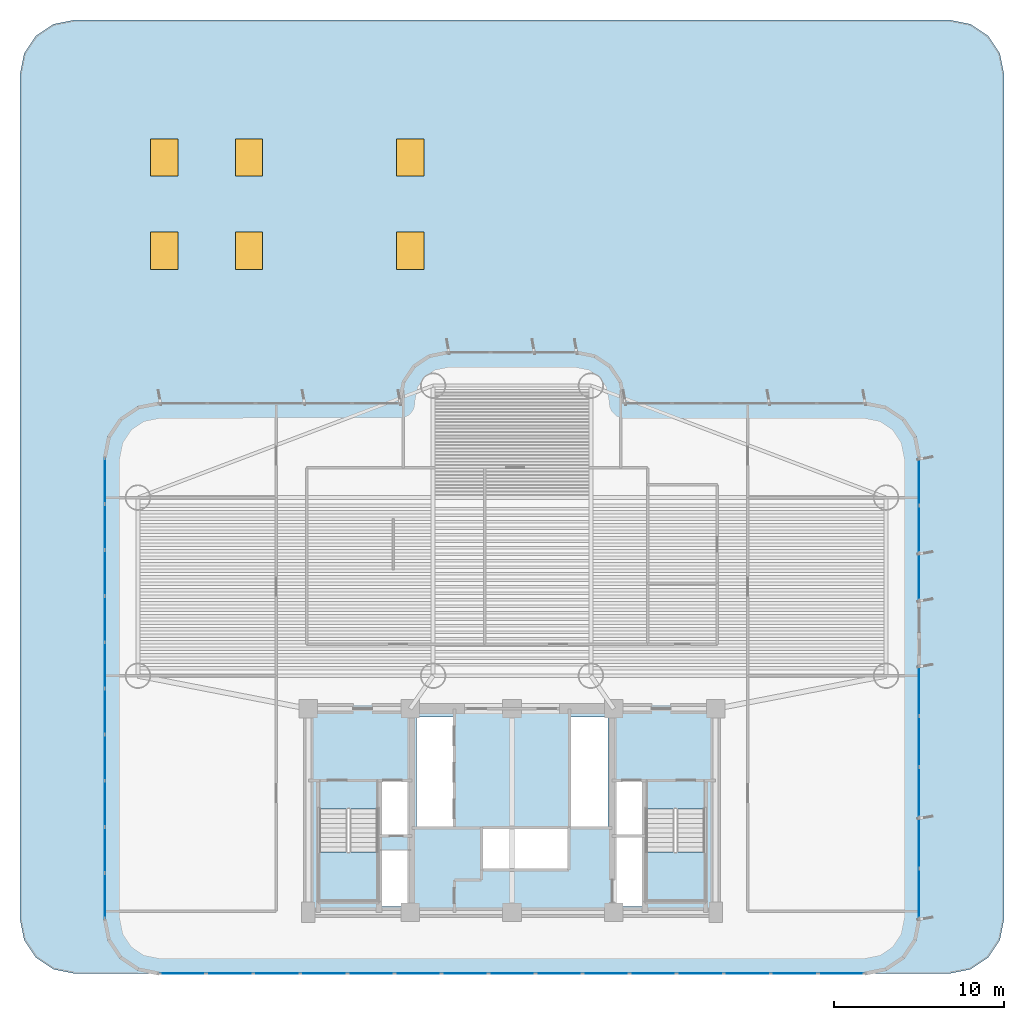
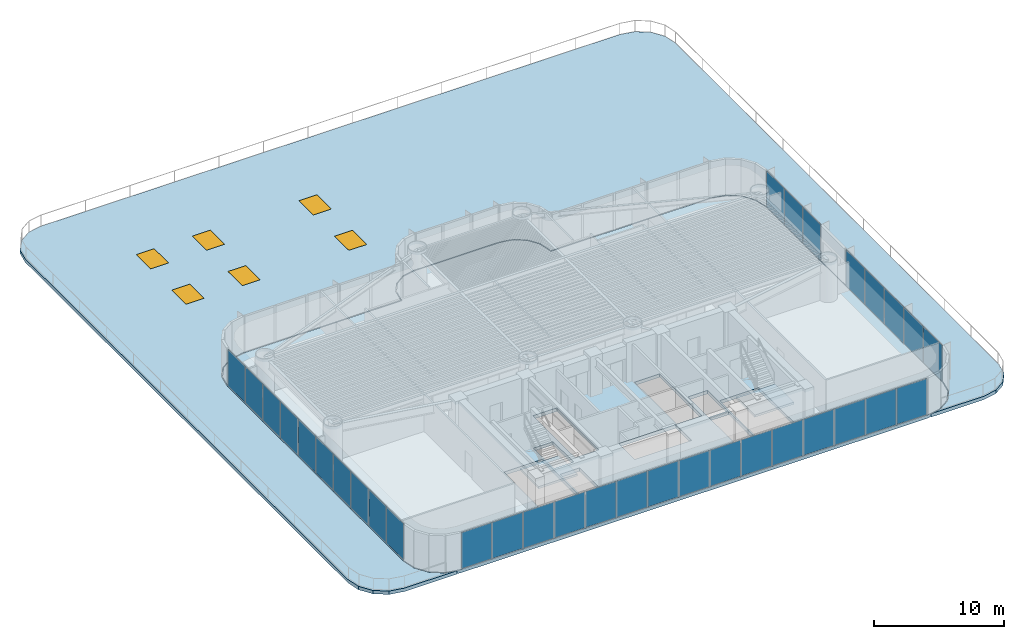
# One storey, part 9 of 17: 33 plates, 6 windows, 4 slabs, 6 openings, 6 elements without a shape of their own.
"""IFC4 building model written with IfcOpenShell, lengths in metres."""

from ifc_helpers import new_model, si_unit, direction, frame, origin, origin_2d, place, context, subcontext, project, spatial, polyline, rectangle, outline, extrude, source, transform, mapped, material, layer, layer_set, type_object, element, fill, aggregate, save


model = new_model("IFC4")

# Units and contexts
model_context = context("Model", 3, precision=1e-05, world=origin(), true_north=direction((0.0, 1.0)))
body_context = subcontext(model_context, "Body", "Model", "MODEL_VIEW")
ifc_project = project(units=[si_unit("LENGTHUNIT", "METRE"), si_unit("AREAUNIT", "SQUARE_METRE"), si_unit("VOLUMEUNIT", "CUBIC_METRE"), si_unit("PLANEANGLEUNIT", "RADIAN"), si_unit("MASSUNIT", "GRAM", prefix="KILO")], contexts=[model_context])

# Site, building, storey
site_placement = place(None, origin())
site = spatial("IfcSite", under=ifc_project, at=site_placement, CompositionType="ELEMENT")
building_placement = place(site_placement, origin())
building = spatial("IfcBuilding", under=site, at=building_placement, Name="Brelvock Crest Care Tower", CompositionType="ELEMENT")
storey_placement = place(building_placement, frame((0.0, 0.0, 27.0)))
storey = spatial("IfcBuildingStorey", under=building, at=storey_placement, Name="L06", CompositionType="ELEMENT", Elevation=27.0)

# Slab
ifc_material_1 = material(Name="Concrete N50 (50 MPa)", Category="concrete")
ifc_layer_1 = layer(ifc_material_1, 0.320068359375, Name="SLB-FL1")
ifc_layer_set_1 = layer_set([ifc_layer_1], Name="Concrete N50 (50 MPa)")
slab_type_1 = type_object("IfcSlabType", Name="SLB-FL1", PredefinedType="FLOOR", material=ifc_layer_set_1)
slab_1_placement = place(storey_placement, frame((0.0, 0.0, -0.320068359375)))
element("IfcSlab", 1, at=slab_1_placement, inside=storey, type_object=slab_type_1, Name="L06 Main Structural Slab", PredefinedType="FLOOR", context=body_context, shape_type="SweptSolid", body=[
    extrude(outline(polyline([(56.800048828125, 36.0), (42.60009765625, 36.0), (42.60009765625, 36.199951171875), (42.386962890625, 37.271484375), (41.77978515625, 38.179931640625), (40.87158203125, 38.786865234375), (39.800048828125, 39.0), (32.199951171875, 39.0), (31.12841796875, 38.786865234375), (30.22021484375, 38.179931640625), (29.613037109375, 37.271484375), (29.39990234375, 36.199951171875), (29.39990234375, 36.0), (15.199951171875, 36.0), (13.975341796875, 35.75634765625), (12.937255859375, 35.062744140625), (12.24365234375, 34.024658203125), (12.0, 32.800048828125), (12.0, 5.60009765625), (12.24365234375, 4.37548828125), (12.937255859375, 3.33740234375), (13.975341796875, 2.6435546875), (15.199951171875, 2.39990234375), (56.800048828125, 2.39990234375), (58.024658203125, 2.6435546875), (59.062744140625, 3.33740234375), (59.75634765625, 4.37548828125), (60.0, 5.60009765625), (60.0, 32.800048828125), (59.75634765625, 34.024658203125), (59.062744140625, 35.062744140625), (58.024658203125, 35.75634765625), (56.800048828125, 36.0)]), holes=[polyline([(28.239990234375, 10.580078125), (29.97998046875, 10.580078125), (29.97998046875, 13.739990234375), (28.239990234375, 13.739990234375), (28.239990234375, 10.580078125)]), polyline([(42.02001953125, 10.580078125), (43.760009765625, 10.580078125), (43.760009765625, 13.739990234375), (42.02001953125, 13.739990234375), (42.02001953125, 10.580078125)]), polyline([(28.239990234375, 6.340087890625), (29.97998046875, 6.340087890625), (29.97998046875, 9.64990234375), (28.239990234375, 9.64990234375), (28.239990234375, 6.340087890625)]), polyline([(24.6298828125, 12.080078125), (24.6298828125, 6.699951171875), (28.110107421875, 6.699951171875), (28.110107421875, 12.080078125), (24.6298828125, 12.080078125)]), polyline([(43.889892578125, 12.080078125), (43.889892578125, 6.699951171875), (47.3701171875, 6.699951171875), (47.3701171875, 12.080078125), (43.889892578125, 12.080078125)]), polyline([(42.02001953125, 6.340087890625), (43.760009765625, 6.340087890625), (43.760009765625, 10.5), (42.02001953125, 10.5), (42.02001953125, 6.340087890625)]), polyline([(30.3798828125, 11.030029296875), (32.52001953125, 11.030029296875), (32.52001953125, 17.52001953125), (30.3798828125, 17.52001953125), (30.3798828125, 11.030029296875)]), polyline([(34.22998046875, 8.530029296875), (39.320068359375, 8.530029296875), (39.320068359375, 10.969970703125), (34.22998046875, 10.969970703125), (34.22998046875, 8.530029296875)]), polyline([(39.429931640625, 11.030029296875), (41.669921875, 11.030029296875), (41.669921875, 17.52001953125), (39.429931640625, 17.52001953125), (39.429931640625, 11.030029296875)])]), origin(), (0.0, 0.0, 1.0), 0.320068359375),
])

# Slab, openings, windows
ifc_layer_2 = layer(ifc_material_1, 0.320068359375, Name="SLB-TD1")
ifc_layer_set_2 = layer_set([ifc_layer_2], Name="Concrete N50 (50 MPa)")
slab_type_2 = type_object("IfcSlabType", Name="SLB-TD1", PredefinedType="FLOOR", material=ifc_layer_set_2)
slab_2_placement = place(storey_placement, frame((0.0, 0.0, -0.320068359375)))
slab_2 = element("IfcSlab", 2, at=slab_2_placement, inside=storey, type_object=slab_type_2, Name="L06 Landscaped Setback Terrace 1", PredefinedType="FLOOR", context=body_context, shape_type="SweptSolid", body=[
    extrude(outline(polyline([(14.892578125, 2.39990234375), (13.952392578125, 2.588134765625), (12.89501953125, 3.294921875), (12.188232421875, 4.352294921875), (11.940185546875, 5.593994140625), (11.93994140625, 32.800048828125), (12.193603515625, 34.057861328125), (12.89501953125, 35.10498046875), (13.942138671875, 35.806396484375), (15.194091796875, 36.059814453125), (29.340087890625, 36.06005859375), (29.34130859375, 36.211669921875), (29.5576171875, 37.29443359375), (30.177734375, 38.222412109375), (31.10546875, 38.84228515625), (32.199951171875, 39.06005859375), (39.800048828125, 39.06005859375), (40.888916015625, 38.84423828125), (41.822265625, 38.222412109375), (42.436767578125, 37.3046875), (42.65869140625, 36.211669921875), (42.659912109375, 36.06005859375), (56.805908203125, 36.059814453125), (58.047607421875, 35.811767578125), (59.109130859375, 35.100830078125), (59.811767578125, 34.047607421875), (60.06005859375, 32.800048828125), (60.059814453125, 5.593994140625), (59.811767578125, 4.352294921875), (59.10498046875, 3.294921875), (58.047607421875, 2.588134765625), (57.107421875, 2.39990234375), (61.800048828125, 2.39990234375), (63.024658203125, 2.6435546875), (64.062744140625, 3.33740234375), (64.75634765625, 4.37548828125), (65.0, 5.60009765625), (65.0, 55.39990234375), (64.75634765625, 56.62451171875), (64.062744140625, 57.66259765625), (63.024658203125, 58.3564453125), (61.800048828125, 58.60009765625), (10.199951171875, 58.60009765625), (8.975341796875, 58.3564453125), (7.937255859375, 57.66259765625), (7.24365234375, 56.62451171875), (7.0, 55.39990234375), (7.0, 5.60009765625), (7.24365234375, 4.37548828125), (7.937255859375, 3.33740234375), (8.975341796875, 2.6435546875), (10.199951171875, 2.39990234375), (14.892578125, 2.39990234375)])), origin(), (0.0, 0.0, 1.0), 0.320068359375),
])
opening_1_placement = place(slab_2_placement, frame((15.5, 45.0, -0.010009765625)))
opening_1 = element("IfcOpeningElement", 3, at=opening_1_placement, cuts=slab_2, Name="Opening SKW-1", PredefinedType="OPENING", context=body_context, shape_type="SweptSolid", body=[
    extrude(rectangle(XDim=1.60009765625, YDim=2.199951171875, at=origin_2d()), origin(), (0.0, 0.0, 1.0), 0.340087890625),
])
opening_2_placement = place(slab_2_placement, frame((15.5, 50.5, -0.010009765625)))
opening_2 = element("IfcOpeningElement", 4, at=opening_2_placement, cuts=slab_2, Name="Opening SKW-1", PredefinedType="OPENING", context=body_context, shape_type="SweptSolid", body=[
    extrude(rectangle(XDim=1.60009765625, YDim=2.199951171875, at=origin_2d()), origin(), (0.0, 0.0, 1.0), 0.340087890625),
])
opening_3_placement = place(slab_2_placement, frame((20.5, 45.0, -0.010009765625)))
opening_3 = element("IfcOpeningElement", 5, at=opening_3_placement, cuts=slab_2, Name="Opening SKW-1", PredefinedType="OPENING", context=body_context, shape_type="SweptSolid", body=[
    extrude(rectangle(XDim=1.60009765625, YDim=2.199951171875, at=origin_2d()), origin(), (0.0, 0.0, 1.0), 0.340087890625),
])
opening_4_placement = place(slab_2_placement, frame((20.5, 50.5, -0.010009765625)))
opening_4 = element("IfcOpeningElement", 6, at=opening_4_placement, cuts=slab_2, Name="Opening SKW-1", PredefinedType="OPENING", context=body_context, shape_type="SweptSolid", body=[
    extrude(rectangle(XDim=1.60009765625, YDim=2.199951171875, at=origin_2d()), origin(), (0.0, 0.0, 1.0), 0.340087890625),
])
opening_5_placement = place(slab_2_placement, frame((30.0, 45.0, -0.010009765625)))
opening_5 = element("IfcOpeningElement", 7, at=opening_5_placement, cuts=slab_2, Name="Opening SKW-1", PredefinedType="OPENING", context=body_context, shape_type="SweptSolid", body=[
    extrude(rectangle(XDim=1.60009765625, YDim=2.199951171875, at=origin_2d()), origin(), (0.0, 0.0, 1.0), 0.340087890625),
])
opening_6_placement = place(slab_2_placement, frame((30.0, 50.5, -0.010009765625)))
opening_6 = element("IfcOpeningElement", 8, at=opening_6_placement, cuts=slab_2, Name="Opening SKW-1", PredefinedType="OPENING", context=body_context, shape_type="SweptSolid", body=[
    extrude(rectangle(XDim=1.60009765625, YDim=2.199951171875, at=origin_2d()), origin(), (0.0, 0.0, 1.0), 0.340087890625),
])
ifc_material_2 = material(Name="Dark Glass Double Glazed Low-E", Category="glass")
window_type = type_object("IfcWindowType", Name="WN-SK1", PartitioningType="SINGLE_PANEL", PredefinedType="SKYLIGHT", material=ifc_material_2)
window_1_placement = place(opening_1_placement, frame((0.0, 0.0, 0.280029296875)))
window_1 = element("IfcWindow", 9, at=window_1_placement, inside=storey, type_object=window_type, Name="L06 Podium Atrium Skylight SKW-01", OverallHeight=2.199951171875, OverallWidth=1.60009765625, PartitioningType="SINGLE_PANEL", PredefinedType="SKYLIGHT", context=body_context, shape_type="SweptSolid", body=[
    extrude(rectangle(XDim=1.60009765625, YDim=2.199951171875, at=origin_2d()), origin(), (0.0, 0.0, 1.0), 0.050048828125),
])
fill(opening_1, window_1)
window_2_placement = place(opening_2_placement, frame((0.0, 0.0, 0.280029296875)))
window_2 = element("IfcWindow", 10, at=window_2_placement, inside=storey, type_object=window_type, Name="L06 Podium Atrium Skylight SKW-02", OverallHeight=2.199951171875, OverallWidth=1.60009765625, PartitioningType="SINGLE_PANEL", PredefinedType="SKYLIGHT", context=body_context, shape_type="SweptSolid", body=[
    extrude(rectangle(XDim=1.60009765625, YDim=2.199951171875, at=origin_2d()), origin(), (0.0, 0.0, 1.0), 0.050048828125),
])
fill(opening_2, window_2)
window_3_placement = place(opening_3_placement, frame((0.0, 0.0, 0.280029296875)))
window_3 = element("IfcWindow", 11, at=window_3_placement, inside=storey, type_object=window_type, Name="L06 Podium Atrium Skylight SKW-03", OverallHeight=2.199951171875, OverallWidth=1.60009765625, PartitioningType="SINGLE_PANEL", PredefinedType="SKYLIGHT", context=body_context, shape_type="SweptSolid", body=[
    extrude(rectangle(XDim=1.60009765625, YDim=2.199951171875, at=origin_2d()), origin(), (0.0, 0.0, 1.0), 0.050048828125),
])
fill(opening_3, window_3)
window_4_placement = place(opening_4_placement, frame((0.0, 0.0, 0.280029296875)))
window_4 = element("IfcWindow", 12, at=window_4_placement, inside=storey, type_object=window_type, Name="L06 Podium Atrium Skylight SKW-04", OverallHeight=2.199951171875, OverallWidth=1.60009765625, PartitioningType="SINGLE_PANEL", PredefinedType="SKYLIGHT", context=body_context, shape_type="SweptSolid", body=[
    extrude(rectangle(XDim=1.60009765625, YDim=2.199951171875, at=origin_2d()), origin(), (0.0, 0.0, 1.0), 0.050048828125),
])
fill(opening_4, window_4)
window_5_placement = place(opening_5_placement, frame((0.0, 0.0, 0.280029296875)))
window_5 = element("IfcWindow", 13, at=window_5_placement, inside=storey, type_object=window_type, Name="L06 Podium Atrium Skylight SKW-05", OverallHeight=2.199951171875, OverallWidth=1.60009765625, PartitioningType="SINGLE_PANEL", PredefinedType="SKYLIGHT", context=body_context, shape_type="SweptSolid", body=[
    extrude(rectangle(XDim=1.60009765625, YDim=2.199951171875, at=origin_2d()), origin(), (0.0, 0.0, 1.0), 0.050048828125),
])
fill(opening_5, window_5)
window_6_placement = place(opening_6_placement, frame((0.0, 0.0, 0.280029296875)))
window_6 = element("IfcWindow", 14, at=window_6_placement, inside=storey, type_object=window_type, Name="L06 Podium Atrium Skylight SKW-06", OverallHeight=2.199951171875, OverallWidth=1.60009765625, PartitioningType="SINGLE_PANEL", PredefinedType="SKYLIGHT", context=body_context, shape_type="SweptSolid", body=[
    extrude(rectangle(XDim=1.60009765625, YDim=2.199951171875, at=origin_2d()), origin(), (0.0, 0.0, 1.0), 0.050048828125),
])
fill(opening_6, window_6)

# Stair, slab
ifc_material_3 = material(Name="Concrete N40 (40 MPa)", Category="concrete")
stair_type = type_object("IfcStairType", Name="ST-CORE1", PredefinedType="HALF_TURN_STAIR", material=ifc_material_3)
stair_1_placement = place(storey_placement, origin())
stair_1 = element("IfcStair", 15, at=stair_1_placement, inside=storey, type_object=stair_type, Name="L06 Fire-Isolated Core Stair ST-1", PredefinedType="HALF_TURN_STAIR")
ifc_layer_3 = layer(ifc_material_3, 0.199951171875, Name="STL-1")
ifc_layer_set_3 = layer_set([ifc_layer_3], Name="Concrete N40 (40 MPa)")
slab_type_3 = type_object("IfcSlabType", Name="STL-1", PredefinedType="LANDING", material=ifc_layer_set_3)
slab_3_placement = place(storey_placement, frame((0.0, 0.0, 1.68994140625)))
slab_3 = element("IfcSlab", 16, at=slab_3_placement, type_object=slab_type_3, Name="ST-1 landing 1", PredefinedType="LANDING", context=body_context, shape_type="SweptSolid", body=[
    extrude(outline(polyline([(24.6298828125, 9.56005859375), (24.6298828125, 6.699951171875), (28.110107421875, 6.699951171875), (28.110107421875, 9.56005859375), (24.6298828125, 9.56005859375)])), origin(), (0.0, 0.0, 1.0), 0.199951171875),
])
aggregate(stair_1, [slab_3])

stair_2_placement = place(storey_placement, origin())
stair_2 = element("IfcStair", 17, at=stair_2_placement, inside=storey, type_object=stair_type, Name="L06 Fire-Isolated Core Stair ST-2", PredefinedType="HALF_TURN_STAIR")
slab_4_placement = place(storey_placement, frame((0.0, 0.0, 1.68994140625)))
slab_4 = element("IfcSlab", 18, at=slab_4_placement, type_object=slab_type_3, Name="ST-2 landing 1", PredefinedType="LANDING", context=body_context, shape_type="SweptSolid", body=[
    extrude(outline(polyline([(43.889892578125, 9.56005859375), (43.889892578125, 6.699951171875), (47.3701171875, 6.699951171875), (47.3701171875, 9.56005859375), (43.889892578125, 9.56005859375)])), origin(), (0.0, 0.0, 1.0), 0.199951171875),
])
aggregate(stair_2, [slab_4])

# Curtain wall, plates
ifc_layer_4 = layer(ifc_material_2, 0.195068359375, Name="CWS-2")
ifc_layer_set_4 = layer_set([ifc_layer_4], Name="Dark Glass Double Glazed Low-E")
curtain_wall_type = type_object("IfcCurtainWallType", Name="CWS-2", PredefinedType="NOTDEFINED", material=ifc_layer_set_4)
curtain_wall_1_placement = place(storey_placement, origin())
curtain_wall_1 = element("IfcCurtainWall", 19, at=curtain_wall_1_placement, inside=storey, type_object=curtain_wall_type, Name="L06 Curtain Wall E03A", PredefinedType="NOTDEFINED")
ifc_layer_5 = layer(ifc_material_2, 0.031982421875, Name="CWP-V1")
ifc_layer_set_5 = layer_set([ifc_layer_5], Name="Dark Glass Double Glazed Low-E")
plate_type = type_object("IfcPlateType", Name="CWP-V1", PredefinedType="CURTAIN_PANEL", material=ifc_layer_set_5)
shared_shape_1 = source(origin(), body_context, "Body", "SweptSolid", [
    extrude(rectangle(XDim=2.714599609375, YDim=0.035888671875, at=origin_2d()), origin(), (0.0, 0.0, 1.0), 3.39990234375),
])
plate_1_placement = place(storey_placement, frame((60.0, 31.377685546875, 0.06494140625), z_axis=(0.0, 0.0, 1.0), x_axis=(0.0, -1.0, 0.0)))
plate_1 = element("IfcPlate", 20, at=plate_1_placement, type_object=plate_type, Name="CW-2 panel 1.1", PredefinedType="CURTAIN_PANEL", context=body_context, shape_type="MappedRepresentation", body=[
    mapped(shared_shape_1, transform((0.0, 0.0, 0.0), x_axis=(1.0, 0.0, 0.0), y_axis=(0.0, 1.0, 0.0), z_axis=(0.0, 0.0, 1.0), scale=1.0)),
])
plate_2_placement = place(storey_placement, frame((60.0, 25.7861328125, 0.06494140625), z_axis=(0.0, 0.0, 1.0), x_axis=(0.0, -1.0, 0.0)))
plate_2 = element("IfcPlate", 21, at=plate_2_placement, type_object=plate_type, Name="CW-2 panel 3.1", PredefinedType="CURTAIN_PANEL", context=body_context, shape_type="MappedRepresentation", body=[
    mapped(shared_shape_1, transform((0.0, 0.0, 0.0), x_axis=(1.0, 0.0, 0.0), y_axis=(0.0, 1.0, 0.0), z_axis=(0.0, 0.0, 1.0), scale=1.0)),
])
shared_shape_2 = source(origin(), body_context, "Body", "SweptSolid", [
    extrude(rectangle(XDim=2.7470703125, YDim=0.035888671875, at=origin_2d()), origin(), (0.0, 0.0, 1.0), 3.39990234375),
])
plate_3_placement = place(storey_placement, frame((60.0, 28.58203125, 0.06494140625), z_axis=(0.0, 0.0, 1.0), x_axis=(0.0, -1.0, 0.0)))
plate_3 = element("IfcPlate", 22, at=plate_3_placement, type_object=plate_type, Name="CW-2 panel 2.1", PredefinedType="CURTAIN_PANEL", context=body_context, shape_type="MappedRepresentation", body=[
    mapped(shared_shape_2, transform((0.0, 0.0, 0.0), x_axis=(1.0, 0.0, 0.0), y_axis=(0.0, 1.0, 0.0), z_axis=(0.0, 0.0, 1.0), scale=1.0)),
])
aggregate(curtain_wall_1, [plate_1, plate_3, plate_2])

curtain_wall_2_placement = place(storey_placement, origin())
curtain_wall_2 = element("IfcCurtainWall", 23, at=curtain_wall_2_placement, inside=storey, type_object=curtain_wall_type, Name="L06 Curtain Wall E03B", PredefinedType="NOTDEFINED")
shared_shape_3 = source(origin(), body_context, "Body", "SweptSolid", [
    extrude(rectangle(XDim=2.895263671875, YDim=0.035888671875, at=origin_2d()), origin(), (0.0, 0.0, 1.0), 3.39990234375),
])
plate_4_placement = place(storey_placement, frame((60.0, 19.05126953125, 0.06494140625), z_axis=(0.0, 0.0, 1.0), x_axis=(0.0, -1.0, 0.0)))
plate_4 = element("IfcPlate", 24, at=plate_4_placement, type_object=plate_type, Name="CW-2 panel 1.1", PredefinedType="CURTAIN_PANEL", context=body_context, shape_type="MappedRepresentation", body=[
    mapped(shared_shape_3, transform((0.0, 0.0, 0.0), x_axis=(1.0, 0.0, 0.0), y_axis=(0.0, 1.0, 0.0), z_axis=(0.0, 0.0, 1.0), scale=1.0)),
])
plate_5_placement = place(storey_placement, frame((60.0, 7.112548828125, 0.06494140625), z_axis=(0.0, 0.0, 1.0), x_axis=(0.0, -1.0, 0.0)))
plate_5 = element("IfcPlate", 25, at=plate_5_placement, type_object=plate_type, Name="CW-2 panel 5.1", PredefinedType="CURTAIN_PANEL", context=body_context, shape_type="MappedRepresentation", body=[
    mapped(shared_shape_3, transform((0.0, 0.0, 0.0), x_axis=(1.0, 0.0, 0.0), y_axis=(0.0, 1.0, 0.0), z_axis=(0.0, 0.0, 1.0), scale=1.0)),
])
shared_shape_4 = source(origin(), body_context, "Body", "SweptSolid", [
    extrude(rectangle(XDim=2.927734375, YDim=0.035888671875, at=origin_2d()), origin(), (0.0, 0.0, 1.0), 3.39990234375),
])
plate_6_placement = place(storey_placement, frame((60.0, 16.07470703125, 0.06494140625), z_axis=(0.0, 0.0, 1.0), x_axis=(0.0, -1.0, 0.0)))
plate_6 = element("IfcPlate", 26, at=plate_6_placement, type_object=plate_type, Name="CW-2 panel 2.1", PredefinedType="CURTAIN_PANEL", context=body_context, shape_type="MappedRepresentation", body=[
    mapped(shared_shape_4, transform((0.0, 0.0, 0.0), x_axis=(1.0, 0.0, 0.0), y_axis=(0.0, 1.0, 0.0), z_axis=(0.0, 0.0, 1.0), scale=1.0)),
])
plate_7_placement = place(storey_placement, frame((60.0, 13.08203125, 0.06494140625), z_axis=(0.0, 0.0, 1.0), x_axis=(0.0, -1.0, 0.0)))
plate_7 = element("IfcPlate", 27, at=plate_7_placement, type_object=plate_type, Name="CW-2 panel 3.1", PredefinedType="CURTAIN_PANEL", context=body_context, shape_type="MappedRepresentation", body=[
    mapped(shared_shape_4, transform((0.0, 0.0, 0.0), x_axis=(1.0, 0.0, 0.0), y_axis=(0.0, 1.0, 0.0), z_axis=(0.0, 0.0, 1.0), scale=1.0)),
])
plate_8_placement = place(storey_placement, frame((60.0, 10.089111328125, 0.06494140625), z_axis=(0.0, 0.0, 1.0), x_axis=(0.0, -1.0, 0.0)))
plate_8 = element("IfcPlate", 28, at=plate_8_placement, type_object=plate_type, Name="CW-2 panel 4.1", PredefinedType="CURTAIN_PANEL", context=body_context, shape_type="MappedRepresentation", body=[
    mapped(shared_shape_4, transform((0.0, 0.0, 0.0), x_axis=(1.0, 0.0, 0.0), y_axis=(0.0, 1.0, 0.0), z_axis=(0.0, 0.0, 1.0), scale=1.0)),
])
aggregate(curtain_wall_2, [plate_4, plate_6, plate_7, plate_8, plate_5])

curtain_wall_3_placement = place(storey_placement, origin())
curtain_wall_3 = element("IfcCurtainWall", 29, at=curtain_wall_3_placement, inside=storey, type_object=curtain_wall_type, Name="L06 Curtain Wall E08", PredefinedType="NOTDEFINED")
shared_shape_5 = source(origin(), body_context, "Body", "SweptSolid", [
    extrude(rectangle(XDim=2.67578125, YDim=0.035888671875, at=origin_2d()), origin(), (0.0, 0.0, 1.0), 3.39990234375),
])
plate_9_placement = place(storey_placement, frame((55.39697265625, 2.39990234375, 0.06494140625), z_axis=(0.0, 0.0, 1.0), x_axis=(-1.0, 0.0, 0.0)))
plate_9 = element("IfcPlate", 30, at=plate_9_placement, type_object=plate_type, Name="CW-2 panel 1.1", PredefinedType="CURTAIN_PANEL", context=body_context, shape_type="MappedRepresentation", body=[
    mapped(shared_shape_5, transform((0.0, 0.0, 0.0), x_axis=(1.0, 0.0, 0.0), y_axis=(0.0, 1.0, 0.0), z_axis=(0.0, 0.0, 1.0), scale=1.0)),
])
plate_10_placement = place(storey_placement, frame((16.60302734375, 2.39990234375, 0.06494140625), z_axis=(0.0, 0.0, 1.0), x_axis=(-1.0, 0.0, 0.0)))
plate_10 = element("IfcPlate", 31, at=plate_10_placement, type_object=plate_type, Name="CW-2 panel 15.1", PredefinedType="CURTAIN_PANEL", context=body_context, shape_type="MappedRepresentation", body=[
    mapped(shared_shape_5, transform((0.0, 0.0, 0.0), x_axis=(1.0, 0.0, 0.0), y_axis=(0.0, 1.0, 0.0), z_axis=(0.0, 0.0, 1.0), scale=1.0)),
])
shared_shape_6 = source(origin(), body_context, "Body", "SweptSolid", [
    extrude(rectangle(XDim=2.708251953125, YDim=0.035888671875, at=origin_2d()), origin(), (0.0, 0.0, 1.0), 3.39990234375),
])
plate_11_placement = place(storey_placement, frame((52.639892578125, 2.39990234375, 0.06494140625), z_axis=(0.0, 0.0, 1.0), x_axis=(-1.0, 0.0, 0.0)))
plate_11 = element("IfcPlate", 32, at=plate_11_placement, type_object=plate_type, Name="CW-2 panel 2.1", PredefinedType="CURTAIN_PANEL", context=body_context, shape_type="MappedRepresentation", body=[
    mapped(shared_shape_6, transform((0.0, 0.0, 0.0), x_axis=(1.0, 0.0, 0.0), y_axis=(0.0, 1.0, 0.0), z_axis=(0.0, 0.0, 1.0), scale=1.0)),
])
plate_12_placement = place(storey_placement, frame((49.86669921875, 2.39990234375, 0.06494140625), z_axis=(0.0, 0.0, 1.0), x_axis=(-1.0, 0.0, 0.0)))
plate_12 = element("IfcPlate", 33, at=plate_12_placement, type_object=plate_type, Name="CW-2 panel 3.1", PredefinedType="CURTAIN_PANEL", context=body_context, shape_type="MappedRepresentation", body=[
    mapped(shared_shape_6, transform((0.0, 0.0, 0.0), x_axis=(1.0, 0.0, 0.0), y_axis=(0.0, 1.0, 0.0), z_axis=(0.0, 0.0, 1.0), scale=1.0)),
])
plate_13_placement = place(storey_placement, frame((47.09326171875, 2.39990234375, 0.06494140625), z_axis=(0.0, 0.0, 1.0), x_axis=(-1.0, 0.0, 0.0)))
plate_13 = element("IfcPlate", 34, at=plate_13_placement, type_object=plate_type, Name="CW-2 panel 4.1", PredefinedType="CURTAIN_PANEL", context=body_context, shape_type="MappedRepresentation", body=[
    mapped(shared_shape_6, transform((0.0, 0.0, 0.0), x_axis=(1.0, 0.0, 0.0), y_axis=(0.0, 1.0, 0.0), z_axis=(0.0, 0.0, 1.0), scale=1.0)),
])
plate_14_placement = place(storey_placement, frame((44.320068359375, 2.39990234375, 0.06494140625), z_axis=(0.0, 0.0, 1.0), x_axis=(-1.0, 0.0, 0.0)))
plate_14 = element("IfcPlate", 35, at=plate_14_placement, type_object=plate_type, Name="CW-2 panel 5.1", PredefinedType="CURTAIN_PANEL", context=body_context, shape_type="MappedRepresentation", body=[
    mapped(shared_shape_6, transform((0.0, 0.0, 0.0), x_axis=(1.0, 0.0, 0.0), y_axis=(0.0, 1.0, 0.0), z_axis=(0.0, 0.0, 1.0), scale=1.0)),
])
plate_15_placement = place(storey_placement, frame((41.546630859375, 2.39990234375, 0.06494140625), z_axis=(0.0, 0.0, 1.0), x_axis=(-1.0, 0.0, 0.0)))
plate_15 = element("IfcPlate", 36, at=plate_15_placement, type_object=plate_type, Name="CW-2 panel 6.1", PredefinedType="CURTAIN_PANEL", context=body_context, shape_type="MappedRepresentation", body=[
    mapped(shared_shape_6, transform((0.0, 0.0, 0.0), x_axis=(1.0, 0.0, 0.0), y_axis=(0.0, 1.0, 0.0), z_axis=(0.0, 0.0, 1.0), scale=1.0)),
])
plate_16_placement = place(storey_placement, frame((38.7734375, 2.39990234375, 0.06494140625), z_axis=(0.0, 0.0, 1.0), x_axis=(-1.0, 0.0, 0.0)))
plate_16 = element("IfcPlate", 37, at=plate_16_placement, type_object=plate_type, Name="CW-2 panel 7.1", PredefinedType="CURTAIN_PANEL", context=body_context, shape_type="MappedRepresentation", body=[
    mapped(shared_shape_6, transform((0.0, 0.0, 0.0), x_axis=(1.0, 0.0, 0.0), y_axis=(0.0, 1.0, 0.0), z_axis=(0.0, 0.0, 1.0), scale=1.0)),
])
plate_17_placement = place(storey_placement, frame((36.0, 2.39990234375, 0.06494140625), z_axis=(0.0, 0.0, 1.0), x_axis=(-1.0, 0.0, 0.0)))
plate_17 = element("IfcPlate", 38, at=plate_17_placement, type_object=plate_type, Name="CW-2 panel 8.1", PredefinedType="CURTAIN_PANEL", context=body_context, shape_type="MappedRepresentation", body=[
    mapped(shared_shape_6, transform((0.0, 0.0, 0.0), x_axis=(1.0, 0.0, 0.0), y_axis=(0.0, 1.0, 0.0), z_axis=(0.0, 0.0, 1.0), scale=1.0)),
])
plate_18_placement = place(storey_placement, frame((33.2265625, 2.39990234375, 0.06494140625), z_axis=(0.0, 0.0, 1.0), x_axis=(-1.0, 0.0, 0.0)))
plate_18 = element("IfcPlate", 39, at=plate_18_placement, type_object=plate_type, Name="CW-2 panel 9.1", PredefinedType="CURTAIN_PANEL", context=body_context, shape_type="MappedRepresentation", body=[
    mapped(shared_shape_6, transform((0.0, 0.0, 0.0), x_axis=(1.0, 0.0, 0.0), y_axis=(0.0, 1.0, 0.0), z_axis=(0.0, 0.0, 1.0), scale=1.0)),
])
plate_19_placement = place(storey_placement, frame((30.453369140625, 2.39990234375, 0.06494140625), z_axis=(0.0, 0.0, 1.0), x_axis=(-1.0, 0.0, 0.0)))
plate_19 = element("IfcPlate", 40, at=plate_19_placement, type_object=plate_type, Name="CW-2 panel 10.1", PredefinedType="CURTAIN_PANEL", context=body_context, shape_type="MappedRepresentation", body=[
    mapped(shared_shape_6, transform((0.0, 0.0, 0.0), x_axis=(1.0, 0.0, 0.0), y_axis=(0.0, 1.0, 0.0), z_axis=(0.0, 0.0, 1.0), scale=1.0)),
])
plate_20_placement = place(storey_placement, frame((27.679931640625, 2.39990234375, 0.06494140625), z_axis=(0.0, 0.0, 1.0), x_axis=(-1.0, 0.0, 0.0)))
plate_20 = element("IfcPlate", 41, at=plate_20_placement, type_object=plate_type, Name="CW-2 panel 11.1", PredefinedType="CURTAIN_PANEL", context=body_context, shape_type="MappedRepresentation", body=[
    mapped(shared_shape_6, transform((0.0, 0.0, 0.0), x_axis=(1.0, 0.0, 0.0), y_axis=(0.0, 1.0, 0.0), z_axis=(0.0, 0.0, 1.0), scale=1.0)),
])
plate_21_placement = place(storey_placement, frame((24.90673828125, 2.39990234375, 0.06494140625), z_axis=(0.0, 0.0, 1.0), x_axis=(-1.0, 0.0, 0.0)))
plate_21 = element("IfcPlate", 42, at=plate_21_placement, type_object=plate_type, Name="CW-2 panel 12.1", PredefinedType="CURTAIN_PANEL", context=body_context, shape_type="MappedRepresentation", body=[
    mapped(shared_shape_6, transform((0.0, 0.0, 0.0), x_axis=(1.0, 0.0, 0.0), y_axis=(0.0, 1.0, 0.0), z_axis=(0.0, 0.0, 1.0), scale=1.0)),
])
plate_22_placement = place(storey_placement, frame((22.13330078125, 2.39990234375, 0.06494140625), z_axis=(0.0, 0.0, 1.0), x_axis=(-1.0, 0.0, 0.0)))
plate_22 = element("IfcPlate", 43, at=plate_22_placement, type_object=plate_type, Name="CW-2 panel 13.1", PredefinedType="CURTAIN_PANEL", context=body_context, shape_type="MappedRepresentation", body=[
    mapped(shared_shape_6, transform((0.0, 0.0, 0.0), x_axis=(1.0, 0.0, 0.0), y_axis=(0.0, 1.0, 0.0), z_axis=(0.0, 0.0, 1.0), scale=1.0)),
])
plate_23_placement = place(storey_placement, frame((19.360107421875, 2.39990234375, 0.06494140625), z_axis=(0.0, 0.0, 1.0), x_axis=(-1.0, 0.0, 0.0)))
plate_23 = element("IfcPlate", 44, at=plate_23_placement, type_object=plate_type, Name="CW-2 panel 14.1", PredefinedType="CURTAIN_PANEL", context=body_context, shape_type="MappedRepresentation", body=[
    mapped(shared_shape_6, transform((0.0, 0.0, 0.0), x_axis=(1.0, 0.0, 0.0), y_axis=(0.0, 1.0, 0.0), z_axis=(0.0, 0.0, 1.0), scale=1.0)),
])
aggregate(curtain_wall_3, [plate_9, plate_11, plate_12, plate_13, plate_14, plate_15, plate_16, plate_17, plate_18, plate_19, plate_20, plate_21, plate_22, plate_23, plate_10])

curtain_wall_4_placement = place(storey_placement, origin())
curtain_wall_4 = element("IfcCurtainWall", 45, at=curtain_wall_4_placement, inside=storey, type_object=curtain_wall_type, Name="L06 Curtain Wall E13", PredefinedType="NOTDEFINED")
shared_shape_7 = source(origin(), body_context, "Body", "SweptSolid", [
    extrude(rectangle(XDim=2.62255859375, YDim=0.035888671875, at=origin_2d()), origin(), (0.0, 0.0, 1.0), 3.39990234375),
])
plate_24_placement = place(storey_placement, frame((12.0, 6.976318359375, 0.06494140625), z_axis=(0.0, 0.0, 1.0), x_axis=(0.0, 1.0, 0.0)))
plate_24 = element("IfcPlate", 46, at=plate_24_placement, type_object=plate_type, Name="CW-2 panel 1.1", PredefinedType="CURTAIN_PANEL", context=body_context, shape_type="MappedRepresentation", body=[
    mapped(shared_shape_7, transform((0.0, 0.0, 0.0), x_axis=(1.0, 0.0, 0.0), y_axis=(0.0, 1.0, 0.0), z_axis=(0.0, 0.0, 1.0), scale=1.0)),
])
plate_25_placement = place(storey_placement, frame((12.0, 31.423828125, 0.06494140625), z_axis=(0.0, 0.0, 1.0), x_axis=(0.0, 1.0, 0.0)))
plate_25 = element("IfcPlate", 47, at=plate_25_placement, type_object=plate_type, Name="CW-2 panel 10.1", PredefinedType="CURTAIN_PANEL", context=body_context, shape_type="MappedRepresentation", body=[
    mapped(shared_shape_7, transform((0.0, 0.0, 0.0), x_axis=(1.0, 0.0, 0.0), y_axis=(0.0, 1.0, 0.0), z_axis=(0.0, 0.0, 1.0), scale=1.0)),
])
shared_shape_8 = source(origin(), body_context, "Body", "SweptSolid", [
    extrude(rectangle(XDim=2.655029296875, YDim=0.035888671875, at=origin_2d()), origin(), (0.0, 0.0, 1.0), 3.39990234375),
])
plate_26_placement = place(storey_placement, frame((12.0, 9.679931640625, 0.06494140625), z_axis=(0.0, 0.0, 1.0), x_axis=(0.0, 1.0, 0.0)))
plate_26 = element("IfcPlate", 48, at=plate_26_placement, type_object=plate_type, Name="CW-2 panel 2.1", PredefinedType="CURTAIN_PANEL", context=body_context, shape_type="MappedRepresentation", body=[
    mapped(shared_shape_8, transform((0.0, 0.0, 0.0), x_axis=(1.0, 0.0, 0.0), y_axis=(0.0, 1.0, 0.0), z_axis=(0.0, 0.0, 1.0), scale=1.0)),
])
plate_27_placement = place(storey_placement, frame((12.0, 12.39990234375, 0.06494140625), z_axis=(0.0, 0.0, 1.0), x_axis=(0.0, 1.0, 0.0)))
plate_27 = element("IfcPlate", 49, at=plate_27_placement, type_object=plate_type, Name="CW-2 panel 3.1", PredefinedType="CURTAIN_PANEL", context=body_context, shape_type="MappedRepresentation", body=[
    mapped(shared_shape_8, transform((0.0, 0.0, 0.0), x_axis=(1.0, 0.0, 0.0), y_axis=(0.0, 1.0, 0.0), z_axis=(0.0, 0.0, 1.0), scale=1.0)),
])
plate_28_placement = place(storey_placement, frame((12.0, 15.1201171875, 0.06494140625), z_axis=(0.0, 0.0, 1.0), x_axis=(0.0, 1.0, 0.0)))
plate_28 = element("IfcPlate", 50, at=plate_28_placement, type_object=plate_type, Name="CW-2 panel 4.1", PredefinedType="CURTAIN_PANEL", context=body_context, shape_type="MappedRepresentation", body=[
    mapped(shared_shape_8, transform((0.0, 0.0, 0.0), x_axis=(1.0, 0.0, 0.0), y_axis=(0.0, 1.0, 0.0), z_axis=(0.0, 0.0, 1.0), scale=1.0)),
])
plate_29_placement = place(storey_placement, frame((12.0, 17.840087890625, 0.06494140625), z_axis=(0.0, 0.0, 1.0), x_axis=(0.0, 1.0, 0.0)))
plate_29 = element("IfcPlate", 51, at=plate_29_placement, type_object=plate_type, Name="CW-2 panel 5.1", PredefinedType="CURTAIN_PANEL", context=body_context, shape_type="MappedRepresentation", body=[
    mapped(shared_shape_8, transform((0.0, 0.0, 0.0), x_axis=(1.0, 0.0, 0.0), y_axis=(0.0, 1.0, 0.0), z_axis=(0.0, 0.0, 1.0), scale=1.0)),
])
plate_30_placement = place(storey_placement, frame((12.0, 20.56005859375, 0.06494140625), z_axis=(0.0, 0.0, 1.0), x_axis=(0.0, 1.0, 0.0)))
plate_30 = element("IfcPlate", 52, at=plate_30_placement, type_object=plate_type, Name="CW-2 panel 6.1", PredefinedType="CURTAIN_PANEL", context=body_context, shape_type="MappedRepresentation", body=[
    mapped(shared_shape_8, transform((0.0, 0.0, 0.0), x_axis=(1.0, 0.0, 0.0), y_axis=(0.0, 1.0, 0.0), z_axis=(0.0, 0.0, 1.0), scale=1.0)),
])
plate_31_placement = place(storey_placement, frame((12.0, 23.280029296875, 0.06494140625), z_axis=(0.0, 0.0, 1.0), x_axis=(0.0, 1.0, 0.0)))
plate_31 = element("IfcPlate", 53, at=plate_31_placement, type_object=plate_type, Name="CW-2 panel 7.1", PredefinedType="CURTAIN_PANEL", context=body_context, shape_type="MappedRepresentation", body=[
    mapped(shared_shape_8, transform((0.0, 0.0, 0.0), x_axis=(1.0, 0.0, 0.0), y_axis=(0.0, 1.0, 0.0), z_axis=(0.0, 0.0, 1.0), scale=1.0)),
])
plate_32_placement = place(storey_placement, frame((12.0, 26.0, 0.06494140625), z_axis=(0.0, 0.0, 1.0), x_axis=(0.0, 1.0, 0.0)))
plate_32 = element("IfcPlate", 54, at=plate_32_placement, type_object=plate_type, Name="CW-2 panel 8.1", PredefinedType="CURTAIN_PANEL", context=body_context, shape_type="MappedRepresentation", body=[
    mapped(shared_shape_8, transform((0.0, 0.0, 0.0), x_axis=(1.0, 0.0, 0.0), y_axis=(0.0, 1.0, 0.0), z_axis=(0.0, 0.0, 1.0), scale=1.0)),
])
plate_33_placement = place(storey_placement, frame((12.0, 28.719970703125, 0.06494140625), z_axis=(0.0, 0.0, 1.0), x_axis=(0.0, 1.0, 0.0)))
plate_33 = element("IfcPlate", 55, at=plate_33_placement, type_object=plate_type, Name="CW-2 panel 9.1", PredefinedType="CURTAIN_PANEL", context=body_context, shape_type="MappedRepresentation", body=[
    mapped(shared_shape_8, transform((0.0, 0.0, 0.0), x_axis=(1.0, 0.0, 0.0), y_axis=(0.0, 1.0, 0.0), z_axis=(0.0, 0.0, 1.0), scale=1.0)),
])
aggregate(curtain_wall_4, [plate_24, plate_26, plate_27, plate_28, plate_29, plate_30, plate_31, plate_32, plate_33, plate_25])

save(model, "model.ifc")
